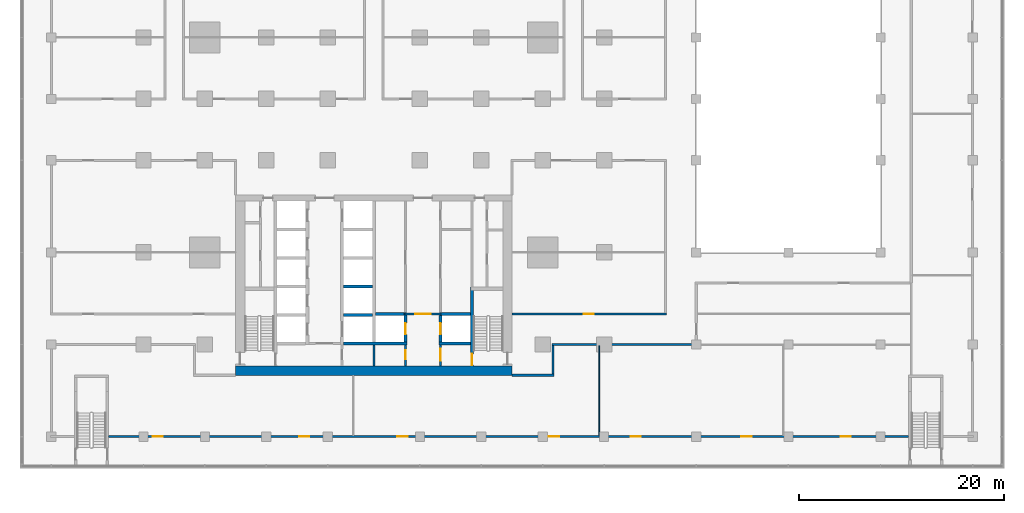
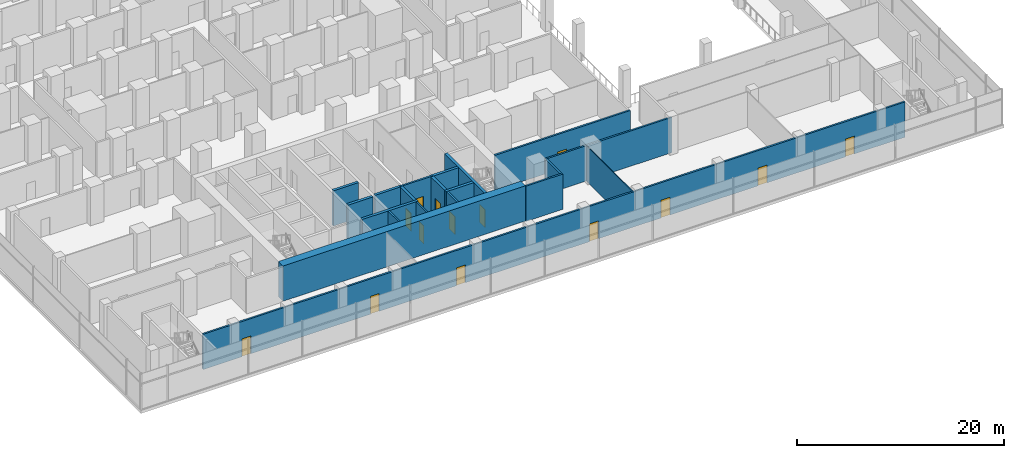
# One storey, part 14 of 22: 20 walls, 14 doors, 14 openings.
"""IFC4 building model written with IfcOpenShell, lengths in metres."""

from ifc_helpers import new_model, si_unit, direction, frame, frame_2d, origin, place, context, subcontext, project, spatial, rectangle, extrude, material, layer, layer_set, type_object, element, fill, save


model = new_model("IFC4")

# Units and contexts
model_context = context("Model", 3, precision=1e-05, world=origin(), true_north=direction((0.0, 1.0)))
body_context = subcontext(model_context, "Body", "Model", "MODEL_VIEW")
ifc_project = project(units=[si_unit("LENGTHUNIT", "METRE"), si_unit("AREAUNIT", "SQUARE_METRE"), si_unit("VOLUMEUNIT", "CUBIC_METRE"), si_unit("PLANEANGLEUNIT", "RADIAN"), si_unit("MASSUNIT", "GRAM", prefix="KILO")], contexts=[model_context])

# Site, building, storey
site_placement = place(None, origin())
site = spatial("IfcSite", under=ifc_project, at=site_placement, CompositionType="ELEMENT")
building_placement = place(site_placement, origin())
building = spatial("IfcBuilding", under=site, at=building_placement, Name="Finial Court Residences", CompositionType="ELEMENT")
storey_placement = place(building_placement, frame((0.0, 0.0, 23.5)))
storey = spatial("IfcBuildingStorey", under=building, at=storey_placement, Name="L04", CompositionType="ELEMENT", Elevation=23.5)

# Wall
ifc_material_1 = material(Name="Concrete C80/95", Category="concrete")
ifc_layer_1 = layer(ifc_material_1, 0.89990234375)
ifc_layer_set_1 = layer_set([ifc_layer_1], Name="Core outer wall 900 Concrete C80/95")
wall_type_1 = type_object("IfcWallType", Name="Core outer wall 900 Concrete C80/95", PredefinedType="SHEAR", material=ifc_layer_set_1)
wall_1_placement = place(storey_placement, frame((-13.5, -25.050048828125, 0.0), z_axis=(0.0, 0.0, 1.0), x_axis=(1.0, 0.0, 0.0)))
element("IfcWall", 1, at=wall_1_placement, inside=storey, type_object=wall_type_1, Name="Core outer wall L04-01", PredefinedType="SHEAR", context=body_context, shape_type="SweptSolid", body=[
    extrude(rectangle(XDim=27.0, YDim=0.89990234375, at=frame_2d((13.5, 0.0))), origin(), (0.0, 0.0, 1.0), 4.14990234375),
])

# Wall, openings, doors
ifc_material_2 = material(Name="Gypsum board")
ifc_layer_2 = layer(ifc_material_2, 0.02490234375)
ifc_material_3 = material(Name="Acoustic mineral wool in double frame")
ifc_layer_3 = layer(ifc_material_3, 0.14990234375)
ifc_layer_4 = layer(ifc_material_2, 0.02490234375)
ifc_layer_set_2 = layer_set([ifc_layer_2, ifc_layer_3, ifc_layer_4], Name="Corridor wall 200, 1 hour")
wall_type_2 = type_object("IfcWallType", Name="Corridor wall 200, 1 hour", PredefinedType="PARTITIONING", material=ifc_layer_set_2)
wall_2_placement = place(storey_placement, frame((-25.89990234375, -31.5, 0.0), z_axis=(0.0, 0.0, 1.0), x_axis=(1.0, 0.0, 0.0)))
wall_2 = element("IfcWall", 2, at=wall_2_placement, inside=storey, type_object=wall_type_2, Name="Partition L04-001", PredefinedType="PARTITIONING", context=body_context, shape_type="SweptSolid", body=[
    extrude(rectangle(XDim=78.14990234375, YDim=0.199951171875, at=frame_2d((39.074951171875, 0.0))), origin(), (0.0, 0.0, 1.0), 4.14990234375),
])
opening_1_placement = place(wall_2_placement, frame((4.300048828125, 0.0, 0.0)))
opening_1 = element("IfcOpeningElement", 3, at=opening_1_placement, cuts=wall_2, Name="Opening L04-D001", PredefinedType="OPENING", context=body_context, shape_type="SweptSolid", body=[
    extrude(rectangle(XDim=1.0, YDim=2.10009765625, at=frame_2d((0.5, 1.050048828125))), frame((0.0, 0.10986328125, 0.0), z_axis=(0.0, -1.0, 0.0), x_axis=(1.0, 0.0, 0.0)), (0.0, 0.0, 1.0), 0.219970703125),
])
opening_2_placement = place(wall_2_placement, frame((18.60009765625, 0.0, 0.0)))
opening_2 = element("IfcOpeningElement", 4, at=opening_2_placement, cuts=wall_2, Name="Opening L04-D002", PredefinedType="OPENING", context=body_context, shape_type="SweptSolid", body=[
    extrude(rectangle(XDim=1.0, YDim=2.10009765625, at=frame_2d((0.5, 1.050048828125))), frame((0.0, 0.10986328125, 0.0), z_axis=(0.0, -1.0, 0.0), x_axis=(1.0, 0.0, 0.0)), (0.0, 0.0, 1.0), 0.219970703125),
])
opening_3_placement = place(wall_2_placement, frame((28.199951171875, 0.0, 0.0)))
opening_3 = element("IfcOpeningElement", 5, at=opening_3_placement, cuts=wall_2, Name="Opening L04-D003", PredefinedType="OPENING", context=body_context, shape_type="SweptSolid", body=[
    extrude(rectangle(XDim=1.0, YDim=2.10009765625, at=frame_2d((0.5, 1.050048828125))), frame((0.0, 0.10986328125, 0.0), z_axis=(0.0, -1.0, 0.0), x_axis=(1.0, 0.0, 0.0)), (0.0, 0.0, 1.0), 0.219970703125),
])
opening_4_placement = place(wall_2_placement, frame((43.0, 0.0, 0.0)))
opening_4 = element("IfcOpeningElement", 6, at=opening_4_placement, cuts=wall_2, Name="Opening L04-D004", PredefinedType="OPENING", context=body_context, shape_type="SweptSolid", body=[
    extrude(rectangle(XDim=1.0, YDim=2.10009765625, at=frame_2d((0.5, 1.050048828125))), frame((0.0, 0.10986328125, 0.0), z_axis=(0.0, -1.0, 0.0), x_axis=(1.0, 0.0, 0.0)), (0.0, 0.0, 1.0), 0.219970703125),
])
opening_5_placement = place(wall_2_placement, frame((51.0, 0.0, 0.0)))
opening_5 = element("IfcOpeningElement", 7, at=opening_5_placement, cuts=wall_2, Name="Opening L04-D005", PredefinedType="OPENING", context=body_context, shape_type="SweptSolid", body=[
    extrude(rectangle(XDim=1.0, YDim=2.10009765625, at=frame_2d((0.5, 1.050048828125))), frame((0.0, 0.10986328125, 0.0), z_axis=(0.0, -1.0, 0.0), x_axis=(1.0, 0.0, 0.0)), (0.0, 0.0, 1.0), 0.219970703125),
])
opening_6_placement = place(wall_2_placement, frame((61.800048828125, 0.0, 0.0)))
opening_6 = element("IfcOpeningElement", 8, at=opening_6_placement, cuts=wall_2, Name="Opening L04-D006", PredefinedType="OPENING", context=body_context, shape_type="SweptSolid", body=[
    extrude(rectangle(XDim=1.0, YDim=2.10009765625, at=frame_2d((0.5, 1.050048828125))), frame((0.0, 0.10986328125, 0.0), z_axis=(0.0, -1.0, 0.0), x_axis=(1.0, 0.0, 0.0)), (0.0, 0.0, 1.0), 0.219970703125),
])
opening_7_placement = place(wall_2_placement, frame((71.5, 0.0, 0.0)))
opening_7 = element("IfcOpeningElement", 9, at=opening_7_placement, cuts=wall_2, Name="Opening L04-D007", PredefinedType="OPENING", context=body_context, shape_type="SweptSolid", body=[
    extrude(rectangle(XDim=1.0, YDim=2.10009765625, at=frame_2d((0.5, 1.050048828125))), frame((0.0, 0.10986328125, 0.0), z_axis=(0.0, -1.0, 0.0), x_axis=(1.0, 0.0, 0.0)), (0.0, 0.0, 1.0), 0.219970703125),
])
ifc_material_4 = material(Name="Timber door leaf in hollow metal frame", Category="wood")
door_type_1 = type_object("IfcDoorType", Name="Fire door set 1000 x 2100, 30 minutes", OperationType="SINGLE_SWING_LEFT", PredefinedType="DOOR", material=ifc_material_4)
door_1_placement = place(opening_1_placement, origin())
door_1 = element("IfcDoor", 10, at=door_1_placement, inside=storey, type_object=door_type_1, Name="Door L04-D001", OperationType="SINGLE_SWING_RIGHT", OverallHeight=2.10009765625, OverallWidth=1.0, PredefinedType="DOOR", context=body_context, shape_type="SweptSolid", body=[
    extrude(rectangle(XDim=1.0, YDim=2.10009765625, at=frame_2d((0.5, 1.050048828125))), frame((0.0, 0.02490234375, 0.0), z_axis=(0.0, -1.0, 0.0), x_axis=(1.0, 0.0, 0.0)), (0.0, 0.0, 1.0), 0.050048828125),
])
fill(opening_1, door_1)
door_2_placement = place(opening_2_placement, origin())
door_2 = element("IfcDoor", 11, at=door_2_placement, inside=storey, type_object=door_type_1, Name="Door L04-D002", OperationType="SINGLE_SWING_RIGHT", OverallHeight=2.10009765625, OverallWidth=1.0, PredefinedType="DOOR", context=body_context, shape_type="SweptSolid", body=[
    extrude(rectangle(XDim=1.0, YDim=2.10009765625, at=frame_2d((0.5, 1.050048828125))), frame((0.0, 0.02490234375, 0.0), z_axis=(0.0, -1.0, 0.0), x_axis=(1.0, 0.0, 0.0)), (0.0, 0.0, 1.0), 0.050048828125),
])
fill(opening_2, door_2)
door_3_placement = place(opening_3_placement, origin())
door_3 = element("IfcDoor", 12, at=door_3_placement, inside=storey, type_object=door_type_1, Name="Door L04-D003", OperationType="SINGLE_SWING_RIGHT", OverallHeight=2.10009765625, OverallWidth=1.0, PredefinedType="DOOR", context=body_context, shape_type="SweptSolid", body=[
    extrude(rectangle(XDim=1.0, YDim=2.10009765625, at=frame_2d((0.5, 1.050048828125))), frame((0.0, 0.02490234375, 0.0), z_axis=(0.0, -1.0, 0.0), x_axis=(1.0, 0.0, 0.0)), (0.0, 0.0, 1.0), 0.050048828125),
])
fill(opening_3, door_3)
door_4_placement = place(opening_4_placement, origin())
door_4 = element("IfcDoor", 13, at=door_4_placement, inside=storey, type_object=door_type_1, Name="Door L04-D004", OperationType="SINGLE_SWING_LEFT", OverallHeight=2.10009765625, OverallWidth=1.0, PredefinedType="DOOR", context=body_context, shape_type="SweptSolid", body=[
    extrude(rectangle(XDim=1.0, YDim=2.10009765625, at=frame_2d((0.5, 1.050048828125))), frame((0.0, 0.02490234375, 0.0), z_axis=(0.0, -1.0, 0.0), x_axis=(1.0, 0.0, 0.0)), (0.0, 0.0, 1.0), 0.050048828125),
])
fill(opening_4, door_4)
door_5_placement = place(opening_5_placement, origin())
door_5 = element("IfcDoor", 14, at=door_5_placement, inside=storey, type_object=door_type_1, Name="Door L04-D005", OperationType="SINGLE_SWING_LEFT", OverallHeight=2.10009765625, OverallWidth=1.0, PredefinedType="DOOR", context=body_context, shape_type="SweptSolid", body=[
    extrude(rectangle(XDim=1.0, YDim=2.10009765625, at=frame_2d((0.5, 1.050048828125))), frame((0.0, 0.02490234375, 0.0), z_axis=(0.0, -1.0, 0.0), x_axis=(1.0, 0.0, 0.0)), (0.0, 0.0, 1.0), 0.050048828125),
])
fill(opening_5, door_5)
door_6_placement = place(opening_6_placement, origin())
door_6 = element("IfcDoor", 15, at=door_6_placement, inside=storey, type_object=door_type_1, Name="Door L04-D006", OperationType="SINGLE_SWING_LEFT", OverallHeight=2.10009765625, OverallWidth=1.0, PredefinedType="DOOR", context=body_context, shape_type="SweptSolid", body=[
    extrude(rectangle(XDim=1.0, YDim=2.10009765625, at=frame_2d((0.5, 1.050048828125))), frame((0.0, 0.02490234375, 0.0), z_axis=(0.0, -1.0, 0.0), x_axis=(1.0, 0.0, 0.0)), (0.0, 0.0, 1.0), 0.050048828125),
])
fill(opening_6, door_6)
door_7_placement = place(opening_7_placement, origin())
door_7 = element("IfcDoor", 16, at=door_7_placement, inside=storey, type_object=door_type_1, Name="Door L04-D007", OperationType="SINGLE_SWING_LEFT", OverallHeight=2.10009765625, OverallWidth=1.0, PredefinedType="DOOR", context=body_context, shape_type="SweptSolid", body=[
    extrude(rectangle(XDim=1.0, YDim=2.10009765625, at=frame_2d((0.5, 1.050048828125))), frame((0.0, 0.02490234375, 0.0), z_axis=(0.0, -1.0, 0.0), x_axis=(1.0, 0.0, 0.0)), (0.0, 0.0, 1.0), 0.050048828125),
])
fill(opening_7, door_7)

# Walls
wall_3_placement = place(storey_placement, frame((13.5, -25.5, 0.0), z_axis=(0.0, 0.0, 1.0), x_axis=(1.0, 0.0, 0.0)))
element("IfcWall", 17, at=wall_3_placement, inside=storey, type_object=wall_type_2, Name="Partition L04-004", PredefinedType="PARTITIONING", context=body_context, shape_type="SweptSolid", body=[
    extrude(rectangle(XDim=4.10009765625, YDim=0.199951171875, at=frame_2d((2.050048828125, 0.0))), origin(), (0.0, 0.0, 1.0), 4.14990234375),
])
wall_4_placement = place(storey_placement, frame((17.39990234375, -22.5, 0.0), z_axis=(0.0, 0.0, 1.0), x_axis=(1.0, 0.0, 0.0)))
element("IfcWall", 18, at=wall_4_placement, inside=storey, type_object=wall_type_2, Name="Partition L04-006", PredefinedType="PARTITIONING", context=body_context, shape_type="SweptSolid", body=[
    extrude(rectangle(XDim=14.10009765625, YDim=0.199951171875, at=frame_2d((7.050048828125, 0.0))), origin(), (0.0, 0.0, 1.0), 4.14990234375),
])

# Wall, opening, door
wall_5_placement = place(storey_placement, frame((13.5, -19.5, 0.0), z_axis=(0.0, 0.0, 1.0), x_axis=(1.0, 0.0, 0.0)))
wall_5 = element("IfcWall", 19, at=wall_5_placement, inside=storey, type_object=wall_type_2, Name="Partition L04-009", PredefinedType="PARTITIONING", context=body_context, shape_type="SweptSolid", body=[
    extrude(rectangle(XDim=15.10009765625, YDim=0.199951171875, at=frame_2d((7.550048828125, 0.0))), origin(), (0.0, 0.0, 1.0), 4.14990234375),
])
opening_8_placement = place(wall_5_placement, frame((7.0, 0.0, 0.0)))
opening_8 = element("IfcOpeningElement", 20, at=opening_8_placement, cuts=wall_5, Name="Opening L04-D010", PredefinedType="OPENING", context=body_context, shape_type="SweptSolid", body=[
    extrude(rectangle(XDim=1.0, YDim=2.10009765625, at=frame_2d((0.5, 1.050048828125))), frame((0.0, 0.10986328125, 0.0), z_axis=(0.0, -1.0, 0.0), x_axis=(1.0, 0.0, 0.0)), (0.0, 0.0, 1.0), 0.219970703125),
])
door_8_placement = place(opening_8_placement, origin())
door_8 = element("IfcDoor", 21, at=door_8_placement, inside=storey, type_object=door_type_1, Name="Door L04-D010", OperationType="SINGLE_SWING_RIGHT", OverallHeight=2.10009765625, OverallWidth=1.0, PredefinedType="DOOR", context=body_context, shape_type="SweptSolid", body=[
    extrude(rectangle(XDim=1.0, YDim=2.10009765625, at=frame_2d((0.5, 1.050048828125))), frame((0.0, 0.02490234375, 0.0), z_axis=(0.0, -1.0, 0.0), x_axis=(1.0, 0.0, 0.0)), (0.0, 0.0, 1.0), 0.050048828125),
])
fill(opening_8, door_8)

# Wall
wall_6_placement = place(storey_placement, frame((17.5, -25.39990234375, 0.0), z_axis=(0.0, 0.0, 1.0), x_axis=(0.0, 1.0, 0.0)))
element("IfcWall", 22, at=wall_6_placement, inside=storey, type_object=wall_type_2, Name="Partition L04-057", PredefinedType="PARTITIONING", context=body_context, shape_type="SweptSolid", body=[
    extrude(rectangle(XDim=2.7998046875, YDim=0.199951171875, at=frame_2d((1.39990234375, 0.0))), origin(), (0.0, 0.0, 1.0), 4.14990234375),
])

# Wall, opening, door
ifc_material_5 = material(Name="Fire-rated gypsum board partition")
ifc_layer_5 = layer(ifc_material_5, 0.199951171875)
ifc_layer_set_3 = layer_set([ifc_layer_5], Name="Firefighting lobby wall 200 EI 120")
wall_type_3 = type_object("IfcWallType", Name="Firefighting lobby wall 200 EI 120", PredefinedType="PARTITIONING", material=ifc_layer_set_3)
wall_7_placement = place(storey_placement, frame((6.574951171875, -19.5, 0.0), z_axis=(0.0, 0.0, 1.0), x_axis=(-1.0, 0.0, 0.0)))
wall_7 = element("IfcWall", 23, at=wall_7_placement, inside=storey, type_object=wall_type_3, Name="Core partition L04-08", PredefinedType="PARTITIONING", context=body_context, shape_type="SweptSolid", body=[
    extrude(rectangle(XDim=3.550048828125, YDim=0.199951171875, at=frame_2d((1.77490234375, 0.0))), origin(), (0.0, 0.0, 1.0), 4.14990234375),
])
opening_9_placement = place(wall_7_placement, frame((1.02490234375, 0.0, 0.0)))
opening_9 = element("IfcOpeningElement", 24, at=opening_9_placement, cuts=wall_7, Name="Opening L04-C02", PredefinedType="OPENING", context=body_context, shape_type="SweptSolid", body=[
    extrude(rectangle(XDim=1.5, YDim=2.10009765625, at=frame_2d((0.75, 1.050048828125))), frame((0.0, 0.10986328125, 0.0), z_axis=(0.0, -1.0, 0.0), x_axis=(1.0, 0.0, 0.0)), (0.0, 0.0, 1.0), 0.219970703125),
])
ifc_material_6 = material(Name="Steel fire door", Category="steel")
door_type_2 = type_object("IfcDoorType", Name="Firefighting lobby door 1500 x 2100 EI 90", OperationType="DOUBLE_DOOR_SINGLE_SWING", PredefinedType="DOOR", material=ifc_material_6)
door_9_placement = place(opening_9_placement, origin())
door_9 = element("IfcDoor", 25, at=door_9_placement, inside=storey, type_object=door_type_2, Name="Firefighting lobby door L04-C02", OperationType="DOUBLE_DOOR_SINGLE_SWING", OverallHeight=2.10009765625, OverallWidth=1.5, PredefinedType="DOOR", context=body_context, shape_type="SweptSolid", body=[
    extrude(rectangle(XDim=1.5, YDim=2.10009765625, at=frame_2d((0.75, 1.050048828125))), frame((0.0, 0.02490234375, 0.0), z_axis=(0.0, -1.0, 0.0), x_axis=(1.0, 0.0, 0.0)), (0.0, 0.0, 1.0), 0.050048828125),
])
fill(opening_9, door_9)

wall_8_placement = place(storey_placement, frame((3.10009765625, -24.60009765625, 0.0), z_axis=(0.0, 0.0, 1.0), x_axis=(0.0, 1.0, 0.0)))
wall_8 = element("IfcWall", 26, at=wall_8_placement, inside=storey, type_object=wall_type_3, Name="Core partition L04-30", PredefinedType="PARTITIONING", context=body_context, shape_type="SweptSolid", body=[
    extrude(rectangle(XDim=2.050048828125, YDim=0.199951171875, at=frame_2d((1.02490234375, 0.0))), origin(), (0.0, 0.0, 1.0), 4.14990234375),
])
opening_10_placement = place(wall_8_placement, frame((0.64990234375, 0.0, 0.0)))
opening_10 = element("IfcOpeningElement", 27, at=opening_10_placement, cuts=wall_8, Name="Opening L04-C06", PredefinedType="OPENING", context=body_context, shape_type="SweptSolid", body=[
    extrude(rectangle(XDim=0.89990234375, YDim=2.10009765625, at=frame_2d((0.449951171875, 1.050048828125))), frame((0.0, 0.10986328125, 0.0), z_axis=(0.0, -1.0, 0.0), x_axis=(1.0, 0.0, 0.0)), (0.0, 0.0, 1.0), 0.219970703125),
])
door_type_3 = type_object("IfcDoorType", Name="Riser room door 900 x 2100 EI 90", OperationType="NOTDEFINED", PredefinedType="DOOR", material=ifc_material_6)
door_10_placement = place(opening_10_placement, origin())
door_10 = element("IfcDoor", 28, at=door_10_placement, inside=storey, type_object=door_type_3, Name="Riser room door L04-C06", OperationType="SINGLE_SWING_LEFT", OverallHeight=2.10009765625, OverallWidth=0.89990234375, PredefinedType="DOOR", context=body_context, shape_type="SweptSolid", body=[
    extrude(rectangle(XDim=0.89990234375, YDim=2.10009765625, at=frame_2d((0.449951171875, 1.050048828125))), frame((0.0, 0.02490234375, 0.0), z_axis=(0.0, -1.0, 0.0), x_axis=(1.0, 0.0, 0.0)), (0.0, 0.0, 1.0), 0.050048828125),
])
fill(opening_10, door_10)

wall_9_placement = place(storey_placement, frame((6.5, -22.550048828125, 0.0), z_axis=(0.0, 0.0, 1.0), x_axis=(0.0, -1.0, 0.0)))
wall_9 = element("IfcWall", 29, at=wall_9_placement, inside=storey, type_object=wall_type_3, Name="Core partition L04-33", PredefinedType="PARTITIONING", context=body_context, shape_type="SweptSolid", body=[
    extrude(rectangle(XDim=2.050048828125, YDim=0.199951171875, at=frame_2d((1.02490234375, 0.0))), origin(), (0.0, 0.0, 1.0), 4.14990234375),
])
opening_11_placement = place(wall_9_placement, frame((0.35009765625, 0.0, 0.0)))
opening_11 = element("IfcOpeningElement", 30, at=opening_11_placement, cuts=wall_9, Name="Opening L04-C01", PredefinedType="OPENING", context=body_context, shape_type="SweptSolid", body=[
    extrude(rectangle(XDim=1.199951171875, YDim=2.10009765625, at=frame_2d((0.60009765625, 1.050048828125))), frame((0.0, 0.10986328125, 0.0), z_axis=(0.0, -1.0, 0.0), x_axis=(1.0, 0.0, 0.0)), (0.0, 0.0, 1.0), 0.219970703125),
])
door_type_4 = type_object("IfcDoorType", Name="Firefighting lobby door 1200 x 2100 EI 90", OperationType="NOTDEFINED", PredefinedType="DOOR", material=ifc_material_6)
door_11_placement = place(opening_11_placement, origin())
door_11 = element("IfcDoor", 31, at=door_11_placement, inside=storey, type_object=door_type_4, Name="Firefighting lobby door L04-C01", OperationType="SINGLE_SWING_RIGHT", OverallHeight=2.10009765625, OverallWidth=1.199951171875, PredefinedType="DOOR", context=body_context, shape_type="SweptSolid", body=[
    extrude(rectangle(XDim=1.199951171875, YDim=2.10009765625, at=frame_2d((0.60009765625, 1.050048828125))), frame((0.0, 0.02490234375, 0.0), z_axis=(0.0, -1.0, 0.0), x_axis=(1.0, 0.0, 0.0)), (0.0, 0.0, 1.0), 0.050048828125),
])
fill(opening_11, door_11)

# Walls
ifc_layer_6 = layer(ifc_material_2, 0.012451171875)
ifc_material_7 = material(Name="Mineral wool in light-gauge frame")
ifc_layer_7 = layer(ifc_material_7, 0.074951171875)
ifc_layer_8 = layer(ifc_material_2, 0.012451171875)
ifc_layer_set_4 = layer_set([ifc_layer_6, ifc_layer_7, ifc_layer_8], Name="Gypsum board partition 100")
wall_type_4 = type_object("IfcWallType", Name="Gypsum board partition 100", PredefinedType="PARTITIONING", material=ifc_layer_set_4)
wall_10_placement = place(storey_placement, frame((22.0, -31.39990234375, 0.0), z_axis=(0.0, 0.0, 1.0), x_axis=(0.0, 1.0, 0.0)))
element("IfcWall", 32, at=wall_10_placement, inside=storey, type_object=wall_type_4, Name="Partition L04-060", PredefinedType="PARTITIONING", context=body_context, shape_type="SweptSolid", body=[
    extrude(rectangle(XDim=8.7998046875, YDim=0.10009765625, at=frame_2d((4.39990234375, 0.0))), origin(), (0.0, 0.0, 1.0), 4.14990234375),
])
ifc_layer_9 = layer(ifc_material_1, 0.300048828125)
ifc_layer_set_5 = layer_set([ifc_layer_9], Name="Lift shaft and stair wall 300 Concrete C80/95")
wall_type_5 = type_object("IfcWallType", Name="Lift shaft and stair wall 300 Concrete C80/95", PredefinedType="SHEAR", material=ifc_layer_set_5)
wall_11_placement = place(storey_placement, frame((-2.949951171875, -22.39990234375, 0.0), z_axis=(0.0, 0.0, 1.0), x_axis=(1.0, 0.0, 0.0)))
element("IfcWall", 33, at=wall_11_placement, inside=storey, type_object=wall_type_5, Name="Core wall L04-03", PredefinedType="SHEAR", context=body_context, shape_type="SweptSolid", body=[
    extrude(rectangle(XDim=6.199951171875, YDim=0.300048828125, at=frame_2d((3.10009765625, 0.0))), origin(), (0.0, 0.0, 1.0), 4.14990234375),
])
wall_12_placement = place(storey_placement, frame((6.35009765625, -22.39990234375, 0.0), z_axis=(0.0, 0.0, 1.0), x_axis=(1.0, 0.0, 0.0)))
element("IfcWall", 34, at=wall_12_placement, inside=storey, type_object=wall_type_5, Name="Core wall L04-04", PredefinedType="SHEAR", context=body_context, shape_type="SweptSolid", body=[
    extrude(rectangle(XDim=3.099853515625, YDim=0.300048828125, at=frame_2d((1.5498046875, 0.0))), origin(), (0.0, 0.0, 1.0), 4.14990234375),
])
wall_13_placement = place(storey_placement, frame((-2.949951171875, -19.6201171875, 0.0), z_axis=(0.0, 0.0, 1.0), x_axis=(1.0, 0.0, 0.0)))
element("IfcWall", 35, at=wall_13_placement, inside=storey, type_object=wall_type_5, Name="Core wall L04-06", PredefinedType="SHEAR", context=body_context, shape_type="SweptSolid", body=[
    extrude(rectangle(XDim=2.800048828125, YDim=0.300048828125, at=frame_2d((1.39990234375, 0.0))), origin(), (0.0, 0.0, 1.0), 4.14990234375),
])
wall_14_placement = place(storey_placement, frame((0.14990234375, -19.5, 0.0), z_axis=(0.0, 0.0, 1.0), x_axis=(1.0, 0.0, 0.0)))
element("IfcWall", 36, at=wall_14_placement, inside=storey, type_object=wall_type_5, Name="Core wall L04-07", PredefinedType="SHEAR", context=body_context, shape_type="SweptSolid", body=[
    extrude(rectangle(XDim=3.025146484375, YDim=0.300048828125, at=frame_2d((1.5126953125, 0.0))), origin(), (0.0, 0.0, 1.0), 4.14990234375),
])
wall_15_placement = place(storey_placement, frame((6.425048828125, -19.5, 0.0), z_axis=(0.0, 0.0, 1.0), x_axis=(1.0, 0.0, 0.0)))
element("IfcWall", 37, at=wall_15_placement, inside=storey, type_object=wall_type_5, Name="Core wall L04-09", PredefinedType="SHEAR", context=body_context, shape_type="SweptSolid", body=[
    extrude(rectangle(XDim=3.02490234375, YDim=0.300048828125, at=frame_2d((1.512451171875, 0.0))), origin(), (0.0, 0.0, 1.0), 4.14990234375),
])
wall_16_placement = place(storey_placement, frame((-2.949951171875, -16.840087890625, 0.0), z_axis=(0.0, 0.0, 1.0), x_axis=(1.0, 0.0, 0.0)))
element("IfcWall", 38, at=wall_16_placement, inside=storey, type_object=wall_type_5, Name="Core wall L04-13", PredefinedType="SHEAR", context=body_context, shape_type="SweptSolid", body=[
    extrude(rectangle(XDim=2.800048828125, YDim=0.300048828125, at=frame_2d((1.39990234375, 0.0))), origin(), (0.0, 0.0, 1.0), 4.14990234375),
])

# Wall, opening, door
wall_17_placement = place(storey_placement, frame((3.10009765625, -22.25, 0.0), z_axis=(0.0, 0.0, 1.0), x_axis=(0.0, 1.0, 0.0)))
wall_17 = element("IfcWall", 39, at=wall_17_placement, inside=storey, type_object=wall_type_5, Name="Core wall L04-31", PredefinedType="SHEAR", context=body_context, shape_type="SweptSolid", body=[
    extrude(rectangle(XDim=2.85009765625, YDim=0.300048828125, at=frame_2d((1.425048828125, 0.0))), origin(), (0.0, 0.0, 1.0), 4.14990234375),
])
opening_12_placement = place(wall_17_placement, frame((0.75, 0.0, 0.0)))
opening_12 = element("IfcOpeningElement", 40, at=opening_12_placement, cuts=wall_17, Name="Opening L04-LD01", PredefinedType="OPENING", context=body_context, shape_type="SweptSolid", body=[
    extrude(rectangle(XDim=1.10009765625, YDim=2.10009765625, at=frame_2d((0.550048828125, 1.050048828125))), frame((0.0, 0.159912109375, 0.0), z_axis=(0.0, -1.0, 0.0), x_axis=(1.0, 0.0, 0.0)), (0.0, 0.0, 1.0), 0.320068359375),
])
ifc_material_8 = material(Name="Stainless steel lift door", Category="steel")
door_type_5 = type_object("IfcDoorType", Name="Lift landing door 1100 x 2100 EI 90", OperationType="DOUBLE_DOOR_SLIDING", PredefinedType="DOOR", material=ifc_material_8)
door_12_placement = place(opening_12_placement, origin())
door_12 = element("IfcDoor", 41, at=door_12_placement, inside=storey, type_object=door_type_5, Name="Lift landing door FF1 L04", OperationType="DOUBLE_DOOR_SLIDING", OverallHeight=2.10009765625, OverallWidth=1.10009765625, PredefinedType="DOOR", context=body_context, shape_type="SweptSolid", body=[
    extrude(rectangle(XDim=1.10009765625, YDim=2.10009765625, at=frame_2d((0.550048828125, 1.050048828125))), frame((0.0, 0.02490234375, 0.0), z_axis=(0.0, -1.0, 0.0), x_axis=(1.0, 0.0, 0.0)), (0.0, 0.0, 1.0), 0.050048828125),
])
fill(opening_12, door_12)

wall_18_placement = place(storey_placement, frame((6.5, -22.25, 0.0), z_axis=(0.0, 0.0, 1.0), x_axis=(0.0, 1.0, 0.0)))
wall_18 = element("IfcWall", 42, at=wall_18_placement, inside=storey, type_object=wall_type_5, Name="Core wall L04-34", PredefinedType="SHEAR", context=body_context, shape_type="SweptSolid", body=[
    extrude(rectangle(XDim=2.60009765625, YDim=0.300048828125, at=frame_2d((1.300048828125, 0.0))), origin(), (0.0, 0.0, 1.0), 4.14990234375),
])
opening_13_placement = place(wall_18_placement, frame((0.75, 0.0, 0.0)))
opening_13 = element("IfcOpeningElement", 43, at=opening_13_placement, cuts=wall_18, Name="Opening L04-LD02", PredefinedType="OPENING", context=body_context, shape_type="SweptSolid", body=[
    extrude(rectangle(XDim=1.10009765625, YDim=2.10009765625, at=frame_2d((0.550048828125, 1.050048828125))), frame((0.0, 0.159912109375, 0.0), z_axis=(0.0, -1.0, 0.0), x_axis=(1.0, 0.0, 0.0)), (0.0, 0.0, 1.0), 0.320068359375),
])
door_13_placement = place(opening_13_placement, origin())
door_13 = element("IfcDoor", 44, at=door_13_placement, inside=storey, type_object=door_type_5, Name="Lift landing door FF2 L04", OperationType="DOUBLE_DOOR_SLIDING", OverallHeight=2.10009765625, OverallWidth=1.10009765625, PredefinedType="DOOR", context=body_context, shape_type="SweptSolid", body=[
    extrude(rectangle(XDim=1.10009765625, YDim=2.10009765625, at=frame_2d((0.550048828125, 1.050048828125))), frame((0.0, 0.02490234375, 0.0), z_axis=(0.0, -1.0, 0.0), x_axis=(1.0, 0.0, 0.0)), (0.0, 0.0, 1.0), 0.050048828125),
])
fill(opening_13, door_13)

wall_19_placement = place(storey_placement, frame((9.60009765625, -16.89990234375, 0.0), z_axis=(0.0, 0.0, 1.0), x_axis=(0.0, -1.0, 0.0)))
wall_19 = element("IfcWall", 45, at=wall_19_placement, inside=storey, type_object=wall_type_5, Name="Core wall L04-36", PredefinedType="SHEAR", context=body_context, shape_type="SweptSolid", body=[
    extrude(rectangle(XDim=7.7001953125, YDim=0.300048828125, at=frame_2d((3.85009765625, 0.0))), origin(), (0.0, 0.0, 1.0), 4.14990234375),
])
opening_14_placement = place(wall_19_placement, frame((6.5, 0.0, 0.0)))
opening_14 = element("IfcOpeningElement", 46, at=opening_14_placement, cuts=wall_19, Name="Opening L04-C18", PredefinedType="OPENING", context=body_context, shape_type="SweptSolid", body=[
    extrude(rectangle(XDim=1.10009765625, YDim=2.10009765625, at=frame_2d((0.550048828125, 1.050048828125))), frame((0.0, 0.159912109375, 0.0), z_axis=(0.0, -1.0, 0.0), x_axis=(1.0, 0.0, 0.0)), (0.0, 0.0, 1.0), 0.320068359375),
])
door_type_6 = type_object("IfcDoorType", Name="Stair door 1100 x 2100 EI 90", OperationType="NOTDEFINED", PredefinedType="DOOR", material=ifc_material_6)
door_14_placement = place(opening_14_placement, origin())
door_14 = element("IfcDoor", 47, at=door_14_placement, inside=storey, type_object=door_type_6, Name="Stair door L04-C18", OperationType="SINGLE_SWING_RIGHT", OverallHeight=2.10009765625, OverallWidth=1.10009765625, PredefinedType="DOOR", context=body_context, shape_type="SweptSolid", body=[
    extrude(rectangle(XDim=1.10009765625, YDim=2.10009765625, at=frame_2d((0.550048828125, 1.050048828125))), frame((0.0, 0.02490234375, 0.0), z_axis=(0.0, -1.0, 0.0), x_axis=(1.0, 0.0, 0.0)), (0.0, 0.0, 1.0), 0.050048828125),
])
fill(opening_14, door_14)

# Wall
ifc_layer_10 = layer(ifc_material_5, 0.199951171875)
ifc_layer_set_6 = layer_set([ifc_layer_10], Name="Riser room wall 200 EI 120")
wall_type_6 = type_object("IfcWallType", Name="Riser room wall 200 EI 120", PredefinedType="PARTITIONING", material=ifc_layer_set_6)
wall_20_placement = place(storey_placement, frame((0.0, -24.60009765625, 0.0), z_axis=(0.0, 0.0, 1.0), x_axis=(0.0, 1.0, 0.0)))
element("IfcWall", 48, at=wall_20_placement, inside=storey, type_object=wall_type_6, Name="Core partition L04-28", PredefinedType="PARTITIONING", context=body_context, shape_type="SweptSolid", body=[
    extrude(rectangle(XDim=2.050048828125, YDim=0.199951171875, at=frame_2d((1.02490234375, 0.0))), origin(), (0.0, 0.0, 1.0), 4.14990234375),
])

save(model, "model.ifc")
